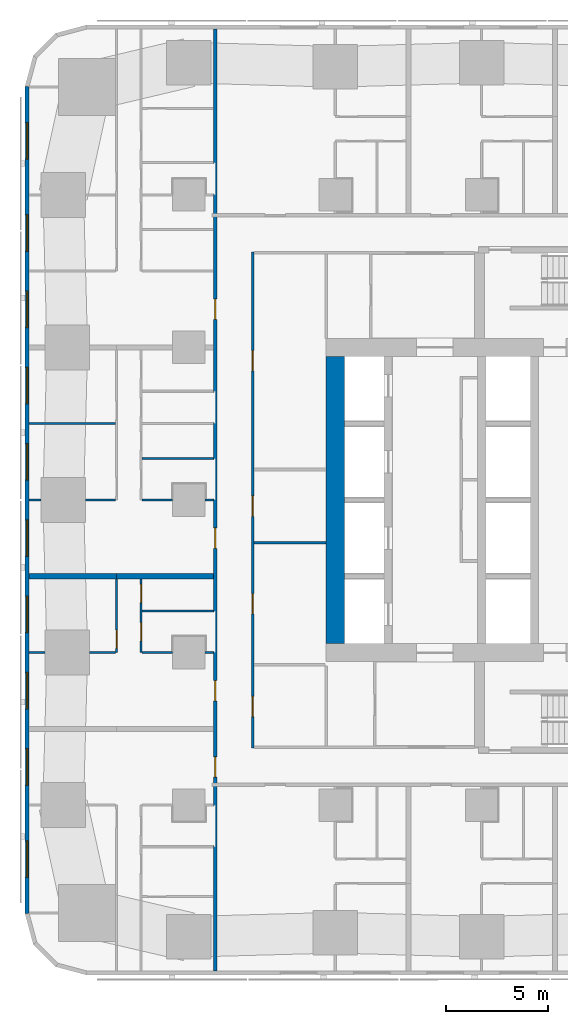
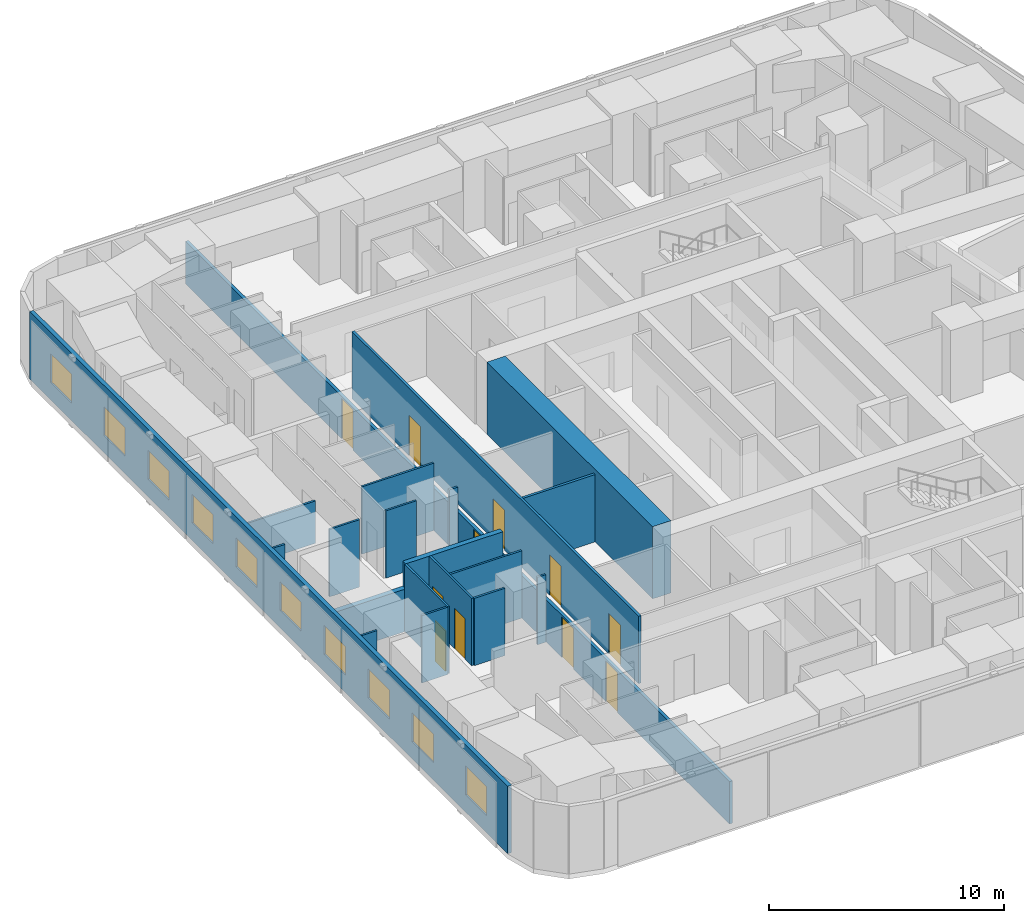
# One storey, part 5 of 16: 20 walls, 11 doors, 10 windows, 21 openings.
"""IFC4 building model written with IfcOpenShell, lengths in metres."""

import ifcopenshell
import ifcopenshell.guid

model = None  # the IFC model being written
_history = None  # IfcOwnerHistory: only IFC2X3 demands one
_inside = {}  # id of a spatial element -> (the spatial element, [elements in it])
_under = {}  # id of a project, library or spatial element -> (it, [spatial elements below it])
_declared = {}  # id of a project -> (the project, [libraries it declares])
_typed = {}  # id of a type object -> (the type object, [elements of that type])
_made_of = {}  # id of a material, layer set ... -> (it, [elements and type objects made of it])


def new_model(schema):
    """Start an empty IFC model of exactly this schema.

    Asked for "IFC4X3", IfcOpenShell would pick the latest addendum, in which some entities
    have other attributes; the version numbers below select the first issue.
    IFC2X3 requires an IfcOwnerHistory on every rooted entity: one is made here for all.
    """
    global model, _history
    if schema == "IFC4X3":
        model = ifcopenshell.file(schema_version=(4, 3, 0, 0))
    else:
        model = ifcopenshell.file(schema=schema)
    _inside.clear()
    _under.clear()
    _declared.clear()
    _typed.clear()
    _made_of.clear()
    _history = None
    if model.schema == "IFC2X3":
        org = make("IfcOrganization", Name="unknown")
        user = make(
            "IfcPersonAndOrganization",
            ThePerson=make("IfcPerson", FamilyName="unknown"),
            TheOrganization=org,
        )
        app = make(
            "IfcApplication",
            ApplicationDeveloper=org,
            Version="unknown",
            ApplicationFullName="unknown",
            ApplicationIdentifier="unknown",
        )
        _history = make(
            "IfcOwnerHistory",
            OwningUser=user,
            OwningApplication=app,
            ChangeAction="ADDED",
            CreationDate=0,
        )
    return model


def make(cls, **values):
    """One entity of the class cls with the attributes given. An attribute that is None is left unset."""
    return model.create_entity(
        cls, **{name: value for name, value in values.items() if value is not None}
    )


def rooted(cls, **values):
    """An entity with a GlobalId (a new one), such as an element, a storey or a relation."""
    return make(cls, GlobalId=ifcopenshell.guid.new(), OwnerHistory=_history, **values)


def si_unit(unit_type, name, prefix=None):
    """IfcSIUnit, for example si_unit("LENGTHUNIT", "METRE", prefix="MILLI")."""
    return make("IfcSIUnit", UnitType=unit_type, Prefix=prefix, Name=name)


def assignment(units):
    """IfcUnitAssignment: the units of a project."""
    return None if units is None else make("IfcUnitAssignment", Units=units)


def point(xyz):
    """IfcCartesianPoint."""
    return None if xyz is None else make("IfcCartesianPoint", Coordinates=xyz)


def direction(xyz):
    """IfcDirection."""
    return None if xyz is None else make("IfcDirection", DirectionRatios=xyz)


def frame(location, z_axis=None, x_axis=None):
    """IfcAxis2Placement3D, a coordinate frame: its origin and axes. An axis left out is left unset."""
    return make(
        "IfcAxis2Placement3D",
        Location=point(location),
        Axis=direction(z_axis),
        RefDirection=direction(x_axis),
    )


def frame_2d(location, x_axis=None):
    """IfcAxis2Placement2D, a coordinate frame in the plane: its origin and x axis."""
    return make(
        "IfcAxis2Placement2D", Location=point(location), RefDirection=direction(x_axis)
    )


def origin():
    """The frame at (0, 0, 0) with its axes left unset."""
    return frame((0.0, 0.0, 0.0))


def place(relative_to, where):
    """IfcLocalPlacement: puts the frame where relative to a parent placement (None: the world)."""
    return make(
        "IfcLocalPlacement", PlacementRelTo=relative_to, RelativePlacement=where
    )


def context(
    kind, dimensions, precision=None, world=None, true_north=None, identifier=None
):
    """IfcGeometricRepresentationContext, for example the 3D "Model" context."""
    return make(
        "IfcGeometricRepresentationContext",
        ContextIdentifier=identifier,
        ContextType=kind,
        CoordinateSpaceDimension=dimensions,
        Precision=precision,
        WorldCoordinateSystem=world,
        TrueNorth=true_north,
    )


def subcontext(parent, identifier, kind, view, scale=None):
    """IfcGeometricRepresentationSubContext, for example "Body" below "Model"."""
    return make(
        "IfcGeometricRepresentationSubContext",
        ContextIdentifier=identifier,
        ContextType=kind,
        ParentContext=parent,
        TargetScale=scale,
        TargetView=view,
    )


def project(units=None, contexts=None):
    """IfcProject with its units and contexts."""
    return rooted(
        "IfcProject",
        Name="project",
        RepresentationContexts=contexts,
        UnitsInContext=assignment(units),
    )


def spatial(cls, under=None, at=None, **own):
    """A site, building, storey or space (cls), placed at a placement, below another one or the project."""
    s = rooted(cls, ObjectPlacement=at, **own)
    if under is not None:
        _under.setdefault(under.id(), (under, []))[1].append(s)
    return s


def profile(cls, at=None, kind="AREA", **sizes):
    """A parametric profile (cls). Its sizes go by their IFC names, for example OverallWidth=200.0."""
    return make(cls, ProfileType=kind, Position=at, **sizes)


def rectangle(**sizes):
    """IfcRectangleProfileDef."""
    return profile("IfcRectangleProfileDef", **sizes)


def extrude(swept, where, along, depth):
    """IfcExtrudedAreaSolid: the profile swept, set in the frame where, extruded along a direction by depth."""
    return make(
        "IfcExtrudedAreaSolid",
        SweptArea=swept,
        Position=where,
        ExtrudedDirection=direction(along),
        Depth=depth,
    )


def shape(context_of_items, identifier, shape_type, items):
    """IfcShapeRepresentation: the items that make up one representation, for example the "Body"."""
    return make(
        "IfcShapeRepresentation",
        ContextOfItems=context_of_items,
        RepresentationIdentifier=identifier,
        RepresentationType=shape_type,
        Items=items,
    )


def material(Name=None, Category=None):
    """IfcMaterial."""
    return make("IfcMaterial", Name=Name, Category=Category)


def layer(
    of_material, thickness, ventilated=None, Name=None, Category=None, Priority=None
):
    """IfcMaterialLayer: one layer of a wall or slab, of a material (None: an air gap)."""
    return make(
        "IfcMaterialLayer",
        Material=of_material,
        LayerThickness=thickness,
        IsVentilated=ventilated,
        Name=Name,
        Category=Category,
        Priority=Priority,
    )


def layer_set(layers, Name=None):
    """IfcMaterialLayerSet."""
    return make("IfcMaterialLayerSet", MaterialLayers=layers, LayerSetName=Name)


def made_of(thing, what):
    """Note that an element or type object is made of a material, layer set ...; save() writes the relation."""
    if what is not None:
        _made_of.setdefault(what.id(), (what, []))[1].append(thing)
    return thing


def type_object(cls, material=None, **own):
    """A type object (cls), such as IfcWallType, which elements share."""
    return made_of(rooted(cls, **own), material)


def element(
    cls,
    number,
    at=None,
    inside=None,
    cuts=None,
    type_object=None,
    material=None,
    context=None,
    identifier="Body",
    shape_type=None,
    held_by="IfcProductDefinitionShape",
    body=None,
    shapes=None,
    **own,
):
    """One element of the class cls, such as IfcWall. Its Tag is "e" and its number.

    at: its placement. inside: the storey or other place that contains it. cuts: it is an
    opening in that element (IfcRelVoidsElement). A single representation is given by context,
    identifier, shape_type and body (its items); several are given by shapes. held_by: the class
    of the entity that holds the representations. save() writes the other relations.
    """
    e = rooted(cls, Tag="e%d" % number, ObjectPlacement=at, **own)
    if body is not None:
        shapes = [shape(context, identifier, shape_type, body)]
    if shapes is not None:
        e.Representation = make(held_by, Representations=shapes)
    if inside is not None:
        _inside.setdefault(inside.id(), (inside, []))[1].append(e)
    if cuts is not None:
        rooted(
            "IfcRelVoidsElement", RelatingBuildingElement=cuts, RelatedOpeningElement=e
        )
    if type_object is not None:
        _typed.setdefault(type_object.id(), (type_object, []))[1].append(e)
    return made_of(e, material)


def fill(opening, filler):
    """IfcRelFillsElement: the door or window that sits in an opening."""
    return rooted(
        "IfcRelFillsElement",
        RelatingOpeningElement=opening,
        RelatedBuildingElement=filler,
    )


def aggregate(whole, parts):
    """IfcRelAggregates: a whole, such as a stair, and the parts it consists of."""
    return rooted("IfcRelAggregates", RelatingObject=whole, RelatedObjects=parts)


def save(model, path):
    """Write the relations noted so far, then the file.

    IfcRelAggregates (storeys below a building ...), IfcRelContainedInSpatialStructure (elements
    in a storey), IfcRelDefinesByType, IfcRelAssociatesMaterial and IfcRelDeclares: one each for
    every whole, place, type object, material and project.
    """
    for whole, parts in _under.values():
        aggregate(whole, parts)
    for where, things in _inside.values():
        rooted(
            "IfcRelContainedInSpatialStructure",
            RelatedElements=things,
            RelatingStructure=where,
        )
    for kind, things in _typed.values():
        rooted("IfcRelDefinesByType", RelatedObjects=things, RelatingType=kind)
    for what, things in _made_of.values():
        rooted("IfcRelAssociatesMaterial", RelatedObjects=things, RelatingMaterial=what)
    for by, libraries in _declared.values():
        rooted("IfcRelDeclares", RelatingContext=by, RelatedDefinitions=libraries)
    model.write(path)


model = new_model("IFC4")

# Units and contexts
model_context = context("Model", 3, precision=1e-05, world=origin(), true_north=direction((0.0, 1.0)))
body_context = subcontext(model_context, "Body", "Model", "MODEL_VIEW")
ifc_project = project(units=[si_unit("LENGTHUNIT", "METRE"), si_unit("AREAUNIT", "SQUARE_METRE"), si_unit("VOLUMEUNIT", "CUBIC_METRE"), si_unit("PLANEANGLEUNIT", "RADIAN"), si_unit("MASSUNIT", "GRAM", prefix="KILO")], contexts=[model_context])

# Site, building, storey
site_placement = place(None, origin())
site = spatial("IfcSite", under=ifc_project, at=site_placement, CompositionType="ELEMENT")
building_placement = place(site_placement, origin())
building = spatial("IfcBuilding", under=site, at=building_placement, Name="Sheger Commons Tower", CompositionType="ELEMENT")
storey_placement = place(building_placement, frame((0.0, 0.0, 92.89990234375)))
storey = spatial("IfcBuildingStorey", under=building, at=storey_placement, Name="L23", CompositionType="ELEMENT", Elevation=92.89990234375)

# Wall
ifc_material_1 = material(Name="Concrete C50/60", Category="concrete")
ifc_layer_1 = layer(ifc_material_1, 0.89990234375)
ifc_layer_set_1 = layer_set([ifc_layer_1], Name="CORE WALL 900")
wall_type_1 = type_object("IfcWallType", Name="CORE WALL 900", PredefinedType="SHEAR", material=ifc_layer_set_1)
wall_1_placement = place(storey_placement, frame((14.39990234375, 15.449951171875, 0.0), z_axis=(0.0, 0.0, 1.0), x_axis=(0.0, 1.0, 0.0)))
element("IfcWall", 1, at=wall_1_placement, inside=storey, type_object=wall_type_1, Name="Core wall west L23", PredefinedType="SHEAR", context=body_context, shape_type="SweptSolid", body=[
    extrude(rectangle(XDim=14.10009765625, YDim=0.89990234375, at=frame_2d((7.050048828125, 0.0))), origin(), (0.0, 0.0, 1.0), 3.75),
])

# Wall, openings, doors
ifc_material_2 = material(Name="Hollow concrete block masonry, skimmed both sides", Category="masonry")
ifc_layer_2 = layer(ifc_material_2, 0.14990234375)
ifc_layer_set_2 = layer_set([ifc_layer_2], Name="CORRIDOR WALL 150")
wall_type_2 = type_object("IfcWallType", Name="CORRIDOR WALL 150", PredefinedType="SOLIDWALL", material=ifc_layer_set_2)
wall_2_placement = place(storey_placement, frame((8.5, -0.64990234375, 0.0), z_axis=(0.0, 0.0, 1.0), x_axis=(0.0, 1.0, 0.0)))
wall_2 = element("IfcWall", 2, at=wall_2_placement, inside=storey, type_object=wall_type_2, Name="Corridor wall L23", PredefinedType="SOLIDWALL", context=body_context, shape_type="SweptSolid", body=[
    extrude(rectangle(XDim=46.2998046875, YDim=0.14990234375, at=frame_2d((23.14990234375, 0.0))), origin(), (0.0, 0.0, 1.0), 2.2001953125),
])
opening_1_placement = place(wall_2_placement, frame((9.52490234375, 0.0, 0.0)))
opening_1 = element("IfcOpeningElement", 3, at=opening_1_placement, cuts=wall_2, Name="Opening D1", PredefinedType="OPENING", context=body_context, shape_type="SweptSolid", body=[
    extrude(rectangle(XDim=1.0, YDim=2.10009765625, at=frame_2d((0.5, 1.050048828125))), frame((0.0, 0.0849609375, 0.0), z_axis=(0.0, -1.0, 0.0), x_axis=(1.0, 0.0, 0.0)), (0.0, 0.0, 1.0), 0.169921875),
])
opening_2_placement = place(wall_2_placement, frame((13.27490234375, 0.0, 0.0)))
opening_2 = element("IfcOpeningElement", 4, at=opening_2_placement, cuts=wall_2, Name="Opening D1", PredefinedType="OPENING", context=body_context, shape_type="SweptSolid", body=[
    extrude(rectangle(XDim=1.0, YDim=2.10009765625, at=frame_2d((0.5, 1.050048828125))), frame((0.0, 0.0849609375, 0.0), z_axis=(0.0, -1.0, 0.0), x_axis=(1.0, 0.0, 0.0)), (0.0, 0.0, 1.0), 0.169921875),
])
opening_3_placement = place(wall_2_placement, frame((20.77490234375, 0.0, 0.0)))
opening_3 = element("IfcOpeningElement", 5, at=opening_3_placement, cuts=wall_2, Name="Opening D1", PredefinedType="OPENING", context=body_context, shape_type="SweptSolid", body=[
    extrude(rectangle(XDim=1.0, YDim=2.10009765625, at=frame_2d((0.5, 1.050048828125))), frame((0.0, 0.0849609375, 0.0), z_axis=(0.0, -1.0, 0.0), x_axis=(1.0, 0.0, 0.0)), (0.0, 0.0, 1.0), 0.169921875),
])
opening_4_placement = place(wall_2_placement, frame((32.02490234375, 0.0, 0.0)))
opening_4 = element("IfcOpeningElement", 6, at=opening_4_placement, cuts=wall_2, Name="Opening D1", PredefinedType="OPENING", context=body_context, shape_type="SweptSolid", body=[
    extrude(rectangle(XDim=1.0, YDim=2.10009765625, at=frame_2d((0.5, 1.050048828125))), frame((0.0, 0.0849609375, 0.0), z_axis=(0.0, -1.0, 0.0), x_axis=(1.0, 0.0, 0.0)), (0.0, 0.0, 1.0), 0.169921875),
])
ifc_material_3 = material(Name="Steel door set, fire rated", Category="steel")
door_type_1 = type_object("IfcDoorType", Name="FLAT ENTRANCE DOOR 1000x2100", OperationType="NOTDEFINED", PredefinedType="DOOR", material=ifc_material_3)
door_1_placement = place(opening_1_placement, origin())
door_1 = element("IfcDoor", 7, at=door_1_placement, inside=storey, type_object=door_type_1, Name="Flat entrance door", OperationType="SINGLE_SWING_RIGHT", OverallHeight=2.10009765625, OverallWidth=1.0, PredefinedType="DOOR", context=body_context, shape_type="SweptSolid", body=[
    extrude(rectangle(XDim=1.0, YDim=2.10009765625, at=frame_2d((0.5, 1.050048828125))), frame((0.0, 0.02490234375, 0.0), z_axis=(0.0, -1.0, 0.0), x_axis=(1.0, 0.0, 0.0)), (0.0, 0.0, 1.0), 0.050048828125),
])
fill(opening_1, door_1)
door_2_placement = place(opening_2_placement, origin())
door_2 = element("IfcDoor", 8, at=door_2_placement, inside=storey, type_object=door_type_1, Name="Flat entrance door", OperationType="SINGLE_SWING_LEFT", OverallHeight=2.10009765625, OverallWidth=1.0, PredefinedType="DOOR", context=body_context, shape_type="SweptSolid", body=[
    extrude(rectangle(XDim=1.0, YDim=2.10009765625, at=frame_2d((0.5, 1.050048828125))), frame((0.0, 0.02490234375, 0.0), z_axis=(0.0, -1.0, 0.0), x_axis=(1.0, 0.0, 0.0)), (0.0, 0.0, 1.0), 0.050048828125),
])
fill(opening_2, door_2)
door_3_placement = place(opening_3_placement, origin())
door_3 = element("IfcDoor", 9, at=door_3_placement, inside=storey, type_object=door_type_1, Name="Flat entrance door", OperationType="SINGLE_SWING_RIGHT", OverallHeight=2.10009765625, OverallWidth=1.0, PredefinedType="DOOR", context=body_context, shape_type="SweptSolid", body=[
    extrude(rectangle(XDim=1.0, YDim=2.10009765625, at=frame_2d((0.5, 1.050048828125))), frame((0.0, 0.02490234375, 0.0), z_axis=(0.0, -1.0, 0.0), x_axis=(1.0, 0.0, 0.0)), (0.0, 0.0, 1.0), 0.050048828125),
])
fill(opening_3, door_3)
door_4_placement = place(opening_4_placement, origin())
door_4 = element("IfcDoor", 10, at=door_4_placement, inside=storey, type_object=door_type_1, Name="Flat entrance door", OperationType="SINGLE_SWING_LEFT", OverallHeight=2.10009765625, OverallWidth=1.0, PredefinedType="DOOR", context=body_context, shape_type="SweptSolid", body=[
    extrude(rectangle(XDim=1.0, YDim=2.10009765625, at=frame_2d((0.5, 1.050048828125))), frame((0.0, 0.02490234375, 0.0), z_axis=(0.0, -1.0, 0.0), x_axis=(1.0, 0.0, 0.0)), (0.0, 0.0, 1.0), 0.050048828125),
])
fill(opening_4, door_4)

# Walls
ifc_material_4 = material(Name="Dense concrete block masonry, plastered both sides (separating wall between flats)", Category="masonry")
ifc_layer_3 = layer(ifc_material_4, 0.25)
ifc_layer_set_3 = layer_set([ifc_layer_3], Name="DEMISING WALL 250")
wall_type_3 = type_object("IfcWallType", Name="DEMISING WALL 250", PredefinedType="SOLIDWALL", material=ifc_layer_set_3)
wall_3_placement = place(storey_placement, frame((-0.64990234375, 18.75, 0.0), z_axis=(0.0, 0.0, 1.0), x_axis=(1.0, 0.0, 0.0)))
element("IfcWall", 11, at=wall_3_placement, inside=storey, type_object=wall_type_3, Name="Demising wall L23", PredefinedType="SOLIDWALL", context=body_context, shape_type="SweptSolid", body=[
    extrude(rectangle(XDim=4.2998046875, YDim=0.25, at=frame_2d((2.14990234375, 0.0))), origin(), (0.0, 0.0, 1.0), 2.2001953125),
])
wall_4_placement = place(storey_placement, frame((3.64990234375, 18.75, 0.0), z_axis=(0.0, 0.0, 1.0), x_axis=(1.0, 0.0, 0.0)))
element("IfcWall", 12, at=wall_4_placement, inside=storey, type_object=wall_type_3, Name="Demising wall L23", PredefinedType="SOLIDWALL", context=body_context, shape_type="SweptSolid", body=[
    extrude(rectangle(XDim=4.775146484375, YDim=0.25, at=frame_2d((2.3876953125, 0.0))), origin(), (0.0, 0.0, 1.0), 3.5),
])

# Wall, openings, windows
ifc_material_5 = material(Name="Rendered concrete block masonry, dark grey", Category="masonry")
ifc_layer_4 = layer(ifc_material_5, 0.199951171875)
ifc_layer_set_4 = layer_set([ifc_layer_4], Name="FACADE WALL 200")
wall_type_4 = type_object("IfcWallType", Name="FACADE WALL 200", PredefinedType="SOLIDWALL", material=ifc_layer_set_4)
wall_5_placement = place(storey_placement, frame((-0.75, 42.8369140625, 0.0), z_axis=(0.0, 0.0, 1.0), x_axis=(0.0, -1.0, 0.0)))
wall_5 = element("IfcWall", 13, at=wall_5_placement, inside=storey, type_object=wall_type_4, Name="Facade wall L23", PredefinedType="SOLIDWALL", context=body_context, shape_type="SweptSolid", body=[
    extrude(rectangle(XDim=40.673828125, YDim=0.199951171875, at=frame_2d((20.3369140625, 0.0))), origin(), (0.0, 0.0, 1.0), 3.5),
])
opening_5_placement = place(wall_5_placement, frame((1.780029296875, 0.0, 0.89990234375)))
opening_5 = element("IfcOpeningElement", 14, at=opening_5_placement, cuts=wall_5, Name="Opening W2", PredefinedType="OPENING", context=body_context, shape_type="SweptSolid", body=[
    extrude(rectangle(XDim=1.800048828125, YDim=1.5, at=frame_2d((0.89990234375, 0.75))), frame((0.0, 0.10986328125, 0.0), z_axis=(0.0, -1.0, 0.0), x_axis=(1.0, 0.0, 0.0)), (0.0, 0.0, 1.0), 0.219970703125),
])
opening_6_placement = place(wall_5_placement, frame((6.31201171875, 0.0, 0.89990234375)))
opening_6 = element("IfcOpeningElement", 15, at=opening_6_placement, cuts=wall_5, Name="Opening W2", PredefinedType="OPENING", context=body_context, shape_type="SweptSolid", body=[
    extrude(rectangle(XDim=1.800048828125, YDim=1.5, at=frame_2d((0.89990234375, 0.75))), frame((0.0, 0.10986328125, 0.0), z_axis=(0.0, -1.0, 0.0), x_axis=(1.0, 0.0, 0.0)), (0.0, 0.0, 1.0), 0.219970703125),
])
opening_7_placement = place(wall_5_placement, frame((10.06201171875, 0.0, 0.89990234375)))
opening_7 = element("IfcOpeningElement", 16, at=opening_7_placement, cuts=wall_5, Name="Opening W2", PredefinedType="OPENING", context=body_context, shape_type="SweptSolid", body=[
    extrude(rectangle(XDim=1.800048828125, YDim=1.5, at=frame_2d((0.89990234375, 0.75))), frame((0.0, 0.10986328125, 0.0), z_axis=(0.0, -1.0, 0.0), x_axis=(1.0, 0.0, 0.0)), (0.0, 0.0, 1.0), 0.219970703125),
])
opening_8_placement = place(wall_5_placement, frame((13.81201171875, 0.0, 0.89990234375)))
opening_8 = element("IfcOpeningElement", 17, at=opening_8_placement, cuts=wall_5, Name="Opening W2", PredefinedType="OPENING", context=body_context, shape_type="SweptSolid", body=[
    extrude(rectangle(XDim=1.800048828125, YDim=1.5, at=frame_2d((0.89990234375, 0.75))), frame((0.0, 0.10986328125, 0.0), z_axis=(0.0, -1.0, 0.0), x_axis=(1.0, 0.0, 0.0)), (0.0, 0.0, 1.0), 0.219970703125),
])
opening_9_placement = place(wall_5_placement, frame((17.56201171875, 0.0, 0.89990234375)))
opening_9 = element("IfcOpeningElement", 18, at=opening_9_placement, cuts=wall_5, Name="Opening W2", PredefinedType="OPENING", context=body_context, shape_type="SweptSolid", body=[
    extrude(rectangle(XDim=1.800048828125, YDim=1.5, at=frame_2d((0.89990234375, 0.75))), frame((0.0, 0.10986328125, 0.0), z_axis=(0.0, -1.0, 0.0), x_axis=(1.0, 0.0, 0.0)), (0.0, 0.0, 1.0), 0.219970703125),
])
opening_10_placement = place(wall_5_placement, frame((21.31201171875, 0.0, 0.89990234375)))
opening_10 = element("IfcOpeningElement", 19, at=opening_10_placement, cuts=wall_5, Name="Opening W2", PredefinedType="OPENING", context=body_context, shape_type="SweptSolid", body=[
    extrude(rectangle(XDim=1.800048828125, YDim=1.5, at=frame_2d((0.89990234375, 0.75))), frame((0.0, 0.10986328125, 0.0), z_axis=(0.0, -1.0, 0.0), x_axis=(1.0, 0.0, 0.0)), (0.0, 0.0, 1.0), 0.219970703125),
])
opening_11_placement = place(wall_5_placement, frame((25.06201171875, 0.0, 0.89990234375)))
opening_11 = element("IfcOpeningElement", 20, at=opening_11_placement, cuts=wall_5, Name="Opening W2", PredefinedType="OPENING", context=body_context, shape_type="SweptSolid", body=[
    extrude(rectangle(XDim=1.800048828125, YDim=1.5, at=frame_2d((0.89990234375, 0.75))), frame((0.0, 0.10986328125, 0.0), z_axis=(0.0, -1.0, 0.0), x_axis=(1.0, 0.0, 0.0)), (0.0, 0.0, 1.0), 0.219970703125),
])
opening_12_placement = place(wall_5_placement, frame((28.81201171875, 0.0, 0.89990234375)))
opening_12 = element("IfcOpeningElement", 21, at=opening_12_placement, cuts=wall_5, Name="Opening W2", PredefinedType="OPENING", context=body_context, shape_type="SweptSolid", body=[
    extrude(rectangle(XDim=1.800048828125, YDim=1.5, at=frame_2d((0.89990234375, 0.75))), frame((0.0, 0.10986328125, 0.0), z_axis=(0.0, -1.0, 0.0), x_axis=(1.0, 0.0, 0.0)), (0.0, 0.0, 1.0), 0.219970703125),
])
opening_13_placement = place(wall_5_placement, frame((32.56201171875, 0.0, 0.89990234375)))
opening_13 = element("IfcOpeningElement", 22, at=opening_13_placement, cuts=wall_5, Name="Opening W2", PredefinedType="OPENING", context=body_context, shape_type="SweptSolid", body=[
    extrude(rectangle(XDim=1.800048828125, YDim=1.5, at=frame_2d((0.89990234375, 0.75))), frame((0.0, 0.10986328125, 0.0), z_axis=(0.0, -1.0, 0.0), x_axis=(1.0, 0.0, 0.0)), (0.0, 0.0, 1.0), 0.219970703125),
])
opening_14_placement = place(wall_5_placement, frame((37.093994140625, 0.0, 0.89990234375)))
opening_14 = element("IfcOpeningElement", 23, at=opening_14_placement, cuts=wall_5, Name="Opening W2", PredefinedType="OPENING", context=body_context, shape_type="SweptSolid", body=[
    extrude(rectangle(XDim=1.800048828125, YDim=1.5, at=frame_2d((0.89990234375, 0.75))), frame((0.0, 0.10986328125, 0.0), z_axis=(0.0, -1.0, 0.0), x_axis=(1.0, 0.0, 0.0)), (0.0, 0.0, 1.0), 0.219970703125),
])
ifc_material_6 = material(Name="Black aluminium frame, dark tinted double glazing", Category="aluminium")
window_type = type_object("IfcWindowType", Name="WINDOW W2 1800x1500", PartitioningType="SINGLE_PANEL", PredefinedType="WINDOW", material=ifc_material_6)
window_1_placement = place(opening_5_placement, origin())
window_1 = element("IfcWindow", 24, at=window_1_placement, inside=storey, type_object=window_type, Name="Window W2 1800X1500", OverallHeight=1.5, OverallWidth=1.800048828125, PartitioningType="SINGLE_PANEL", PredefinedType="WINDOW", context=body_context, shape_type="SweptSolid", body=[
    extrude(rectangle(XDim=1.800048828125, YDim=1.5, at=frame_2d((0.89990234375, 0.75))), frame((0.0, 0.030029296875, 0.0), z_axis=(0.0, -1.0, 0.0), x_axis=(1.0, 0.0, 0.0)), (0.0, 0.0, 1.0), 0.06005859375),
])
fill(opening_5, window_1)
window_2_placement = place(opening_6_placement, origin())
window_2 = element("IfcWindow", 25, at=window_2_placement, inside=storey, type_object=window_type, Name="Window W2 1800X1500", OverallHeight=1.5, OverallWidth=1.800048828125, PartitioningType="SINGLE_PANEL", PredefinedType="WINDOW", context=body_context, shape_type="SweptSolid", body=[
    extrude(rectangle(XDim=1.800048828125, YDim=1.5, at=frame_2d((0.89990234375, 0.75))), frame((0.0, 0.030029296875, 0.0), z_axis=(0.0, -1.0, 0.0), x_axis=(1.0, 0.0, 0.0)), (0.0, 0.0, 1.0), 0.06005859375),
])
fill(opening_6, window_2)
window_3_placement = place(opening_7_placement, origin())
window_3 = element("IfcWindow", 26, at=window_3_placement, inside=storey, type_object=window_type, Name="Window W2 1800X1500", OverallHeight=1.5, OverallWidth=1.800048828125, PartitioningType="SINGLE_PANEL", PredefinedType="WINDOW", context=body_context, shape_type="SweptSolid", body=[
    extrude(rectangle(XDim=1.800048828125, YDim=1.5, at=frame_2d((0.89990234375, 0.75))), frame((0.0, 0.030029296875, 0.0), z_axis=(0.0, -1.0, 0.0), x_axis=(1.0, 0.0, 0.0)), (0.0, 0.0, 1.0), 0.06005859375),
])
fill(opening_7, window_3)
window_4_placement = place(opening_8_placement, origin())
window_4 = element("IfcWindow", 27, at=window_4_placement, inside=storey, type_object=window_type, Name="Window W2 1800X1500", OverallHeight=1.5, OverallWidth=1.800048828125, PartitioningType="SINGLE_PANEL", PredefinedType="WINDOW", context=body_context, shape_type="SweptSolid", body=[
    extrude(rectangle(XDim=1.800048828125, YDim=1.5, at=frame_2d((0.89990234375, 0.75))), frame((0.0, 0.030029296875, 0.0), z_axis=(0.0, -1.0, 0.0), x_axis=(1.0, 0.0, 0.0)), (0.0, 0.0, 1.0), 0.06005859375),
])
fill(opening_8, window_4)
window_5_placement = place(opening_9_placement, origin())
window_5 = element("IfcWindow", 28, at=window_5_placement, inside=storey, type_object=window_type, Name="Window W2 1800X1500", OverallHeight=1.5, OverallWidth=1.800048828125, PartitioningType="SINGLE_PANEL", PredefinedType="WINDOW", context=body_context, shape_type="SweptSolid", body=[
    extrude(rectangle(XDim=1.800048828125, YDim=1.5, at=frame_2d((0.89990234375, 0.75))), frame((0.0, 0.030029296875, 0.0), z_axis=(0.0, -1.0, 0.0), x_axis=(1.0, 0.0, 0.0)), (0.0, 0.0, 1.0), 0.06005859375),
])
fill(opening_9, window_5)
window_6_placement = place(opening_10_placement, origin())
window_6 = element("IfcWindow", 29, at=window_6_placement, inside=storey, type_object=window_type, Name="Window W2 1800X1500", OverallHeight=1.5, OverallWidth=1.800048828125, PartitioningType="SINGLE_PANEL", PredefinedType="WINDOW", context=body_context, shape_type="SweptSolid", body=[
    extrude(rectangle(XDim=1.800048828125, YDim=1.5, at=frame_2d((0.89990234375, 0.75))), frame((0.0, 0.030029296875, 0.0), z_axis=(0.0, -1.0, 0.0), x_axis=(1.0, 0.0, 0.0)), (0.0, 0.0, 1.0), 0.06005859375),
])
fill(opening_10, window_6)
window_7_placement = place(opening_11_placement, origin())
window_7 = element("IfcWindow", 30, at=window_7_placement, inside=storey, type_object=window_type, Name="Window W2 1800X1500", OverallHeight=1.5, OverallWidth=1.800048828125, PartitioningType="SINGLE_PANEL", PredefinedType="WINDOW", context=body_context, shape_type="SweptSolid", body=[
    extrude(rectangle(XDim=1.800048828125, YDim=1.5, at=frame_2d((0.89990234375, 0.75))), frame((0.0, 0.030029296875, 0.0), z_axis=(0.0, -1.0, 0.0), x_axis=(1.0, 0.0, 0.0)), (0.0, 0.0, 1.0), 0.06005859375),
])
fill(opening_11, window_7)
window_8_placement = place(opening_12_placement, origin())
window_8 = element("IfcWindow", 31, at=window_8_placement, inside=storey, type_object=window_type, Name="Window W2 1800X1500", OverallHeight=1.5, OverallWidth=1.800048828125, PartitioningType="SINGLE_PANEL", PredefinedType="WINDOW", context=body_context, shape_type="SweptSolid", body=[
    extrude(rectangle(XDim=1.800048828125, YDim=1.5, at=frame_2d((0.89990234375, 0.75))), frame((0.0, 0.030029296875, 0.0), z_axis=(0.0, -1.0, 0.0), x_axis=(1.0, 0.0, 0.0)), (0.0, 0.0, 1.0), 0.06005859375),
])
fill(opening_12, window_8)
window_9_placement = place(opening_13_placement, origin())
window_9 = element("IfcWindow", 32, at=window_9_placement, inside=storey, type_object=window_type, Name="Window W2 1800X1500", OverallHeight=1.5, OverallWidth=1.800048828125, PartitioningType="SINGLE_PANEL", PredefinedType="WINDOW", context=body_context, shape_type="SweptSolid", body=[
    extrude(rectangle(XDim=1.800048828125, YDim=1.5, at=frame_2d((0.89990234375, 0.75))), frame((0.0, 0.030029296875, 0.0), z_axis=(0.0, -1.0, 0.0), x_axis=(1.0, 0.0, 0.0)), (0.0, 0.0, 1.0), 0.06005859375),
])
fill(opening_13, window_9)
window_10_placement = place(opening_14_placement, origin())
window_10 = element("IfcWindow", 33, at=window_10_placement, inside=storey, type_object=window_type, Name="Window W2 1800X1500", OverallHeight=1.5, OverallWidth=1.800048828125, PartitioningType="SINGLE_PANEL", PredefinedType="WINDOW", context=body_context, shape_type="SweptSolid", body=[
    extrude(rectangle(XDim=1.800048828125, YDim=1.5, at=frame_2d((0.89990234375, 0.75))), frame((0.0, 0.030029296875, 0.0), z_axis=(0.0, -1.0, 0.0), x_axis=(1.0, 0.0, 0.0)), (0.0, 0.0, 1.0), 0.06005859375),
])
fill(opening_14, window_10)

# Wall, opening, door
ifc_material_7 = material(Name="Gypsum board on steel studs", Category="steel")
ifc_layer_5 = layer(ifc_material_7, 0.10009765625)
ifc_layer_set_5 = layer_set([ifc_layer_5], Name="PARTITION 100")
wall_type_5 = type_object("IfcWallType", Name="PARTITION 100", PredefinedType="PARTITIONING", material=ifc_layer_set_5)
wall_6_placement = place(storey_placement, frame((3.64990234375, 15.0, 0.0), z_axis=(0.0, 0.0, 1.0), x_axis=(0.0, 1.0, 0.0)))
wall_6 = element("IfcWall", 34, at=wall_6_placement, inside=storey, type_object=wall_type_5, Name="Partition L23", PredefinedType="PARTITIONING", context=body_context, shape_type="SweptSolid", body=[
    extrude(rectangle(XDim=3.625, YDim=0.10009765625, at=frame_2d((1.8125, 0.0))), origin(), (0.0, 0.0, 1.0), 3.5),
])
opening_15_placement = place(wall_6_placement, frame((0.199951171875, 0.0, 0.0)))
opening_15 = element("IfcOpeningElement", 35, at=opening_15_placement, cuts=wall_6, Name="Opening D2", PredefinedType="OPENING", context=body_context, shape_type="SweptSolid", body=[
    extrude(rectangle(XDim=0.89990234375, YDim=2.10009765625, at=frame_2d((0.449951171875, 1.050048828125))), frame((0.0, 0.06005859375, 0.0), z_axis=(0.0, -1.0, 0.0), x_axis=(1.0, 0.0, 0.0)), (0.0, 0.0, 1.0), 0.1201171875),
])
ifc_material_8 = material(Name="Timber door set", Category="wood")
door_type_2 = type_object("IfcDoorType", Name="INTERNAL DOOR 900x2100", OperationType="NOTDEFINED", PredefinedType="DOOR", material=ifc_material_8)
door_5_placement = place(opening_15_placement, origin())
door_5 = element("IfcDoor", 36, at=door_5_placement, inside=storey, type_object=door_type_2, Name="Main bedroom door", OperationType="SINGLE_SWING_LEFT", OverallHeight=2.10009765625, OverallWidth=0.89990234375, PredefinedType="DOOR", context=body_context, shape_type="SweptSolid", body=[
    extrude(rectangle(XDim=0.89990234375, YDim=2.10009765625, at=frame_2d((0.449951171875, 1.050048828125))), frame((0.0, 0.02490234375, 0.0), z_axis=(0.0, -1.0, 0.0), x_axis=(1.0, 0.0, 0.0)), (0.0, 0.0, 1.0), 0.050048828125),
])
fill(opening_15, door_5)

# Wall, openings, doors
wall_7_placement = place(storey_placement, frame((4.85009765625, 15.0, 0.0), z_axis=(0.0, 0.0, 1.0), x_axis=(0.0, 1.0, 0.0)))
wall_7 = element("IfcWall", 37, at=wall_7_placement, inside=storey, type_object=wall_type_5, Name="Partition L23", PredefinedType="PARTITIONING", context=body_context, shape_type="SweptSolid", body=[
    extrude(rectangle(XDim=3.625, YDim=0.10009765625, at=frame_2d((1.8125, 0.0))), origin(), (0.0, 0.0, 1.0), 3.5),
])
opening_16_placement = place(wall_7_placement, frame((0.574951171875, 0.0, 0.0)))
opening_16 = element("IfcOpeningElement", 38, at=opening_16_placement, cuts=wall_7, Name="Opening D2", PredefinedType="OPENING", context=body_context, shape_type="SweptSolid", body=[
    extrude(rectangle(XDim=0.89990234375, YDim=2.10009765625, at=frame_2d((0.449951171875, 1.050048828125))), frame((0.0, 0.06005859375, 0.0), z_axis=(0.0, -1.0, 0.0), x_axis=(1.0, 0.0, 0.0)), (0.0, 0.0, 1.0), 0.1201171875),
])
opening_17_placement = place(wall_7_placement, frame((2.449951171875, 0.0, 0.0)))
opening_17 = element("IfcOpeningElement", 39, at=opening_17_placement, cuts=wall_7, Name="Opening D2", PredefinedType="OPENING", context=body_context, shape_type="SweptSolid", body=[
    extrude(rectangle(XDim=0.89990234375, YDim=2.10009765625, at=frame_2d((0.449951171875, 1.050048828125))), frame((0.0, 0.06005859375, 0.0), z_axis=(0.0, -1.0, 0.0), x_axis=(1.0, 0.0, 0.0)), (0.0, 0.0, 1.0), 0.1201171875),
])
door_6_placement = place(opening_16_placement, origin())
door_6 = element("IfcDoor", 40, at=door_6_placement, inside=storey, type_object=door_type_2, Name="Bathroom door", OperationType="SINGLE_SWING_RIGHT", OverallHeight=2.10009765625, OverallWidth=0.89990234375, PredefinedType="DOOR", context=body_context, shape_type="SweptSolid", body=[
    extrude(rectangle(XDim=0.89990234375, YDim=2.10009765625, at=frame_2d((0.449951171875, 1.050048828125))), frame((0.0, 0.02490234375, 0.0), z_axis=(0.0, -1.0, 0.0), x_axis=(1.0, 0.0, 0.0)), (0.0, 0.0, 1.0), 0.050048828125),
])
fill(opening_16, door_6)
door_7_placement = place(opening_17_placement, origin())
door_7 = element("IfcDoor", 41, at=door_7_placement, inside=storey, type_object=door_type_2, Name="Store door", OperationType="SINGLE_SWING_LEFT", OverallHeight=2.10009765625, OverallWidth=0.89990234375, PredefinedType="DOOR", context=body_context, shape_type="SweptSolid", body=[
    extrude(rectangle(XDim=0.89990234375, YDim=2.10009765625, at=frame_2d((0.449951171875, 1.050048828125))), frame((0.0, 0.02490234375, 0.0), z_axis=(0.0, -1.0, 0.0), x_axis=(1.0, 0.0, 0.0)), (0.0, 0.0, 1.0), 0.050048828125),
])
fill(opening_17, door_7)

# Walls
wall_8_placement = place(storey_placement, frame((-0.64990234375, 15.0, 0.0), z_axis=(0.0, 0.0, 1.0), x_axis=(1.0, 0.0, 0.0)))
element("IfcWall", 42, at=wall_8_placement, inside=storey, type_object=wall_type_5, Name="Partition L23", PredefinedType="PARTITIONING", context=body_context, shape_type="SweptSolid", body=[
    extrude(rectangle(XDim=0.77392578125, YDim=0.10009765625, at=frame_2d((0.386962890625, 0.0))), origin(), (0.0, 0.0, 1.0), 3.5),
])
wall_9_placement = place(storey_placement, frame((2.325927734375, 15.0, 0.0), z_axis=(0.0, 0.0, 1.0), x_axis=(1.0, 0.0, 0.0)))
element("IfcWall", 43, at=wall_9_placement, inside=storey, type_object=wall_type_5, Name="Partition L23", PredefinedType="PARTITIONING", context=body_context, shape_type="SweptSolid", body=[
    extrude(rectangle(XDim=1.274169921875, YDim=0.10009765625, at=frame_2d((0.63720703125, 0.0))), origin(), (0.0, 0.0, 1.0), 3.5),
])
wall_10_placement = place(storey_placement, frame((4.89990234375, 15.0, 0.0), z_axis=(0.0, 0.0, 1.0), x_axis=(1.0, 0.0, 0.0)))
element("IfcWall", 44, at=wall_10_placement, inside=storey, type_object=wall_type_5, Name="Partition L23", PredefinedType="PARTITIONING", context=body_context, shape_type="SweptSolid", body=[
    extrude(rectangle(XDim=1.4990234375, YDim=0.10009765625, at=frame_2d((0.74951171875, 0.0))), origin(), (0.0, 0.0, 1.0), 3.5),
])
wall_11_placement = place(storey_placement, frame((8.0009765625, 15.0, 0.0), z_axis=(0.0, 0.0, 1.0), x_axis=(1.0, 0.0, 0.0)))
element("IfcWall", 45, at=wall_11_placement, inside=storey, type_object=wall_type_5, Name="Partition L23", PredefinedType="PARTITIONING", context=body_context, shape_type="SweptSolid", body=[
    extrude(rectangle(XDim=0.424072265625, YDim=0.10009765625, at=frame_2d((0.2119140625, 0.0))), origin(), (0.0, 0.0, 1.0), 3.5),
])
wall_12_placement = place(storey_placement, frame((4.89990234375, 17.050048828125, 0.0), z_axis=(0.0, 0.0, 1.0), x_axis=(1.0, 0.0, 0.0)))
element("IfcWall", 46, at=wall_12_placement, inside=storey, type_object=wall_type_5, Name="Partition L23", PredefinedType="PARTITIONING", context=body_context, shape_type="SweptSolid", body=[
    extrude(rectangle(XDim=3.525146484375, YDim=0.10009765625, at=frame_2d((1.7626953125, 0.0))), origin(), (0.0, 0.0, 1.0), 3.5),
])
wall_13_placement = place(storey_placement, frame((-0.64990234375, 22.5, 0.0), z_axis=(0.0, 0.0, 1.0), x_axis=(1.0, 0.0, 0.0)))
element("IfcWall", 47, at=wall_13_placement, inside=storey, type_object=wall_type_5, Name="Partition L23", PredefinedType="PARTITIONING", context=body_context, shape_type="SweptSolid", body=[
    extrude(rectangle(XDim=0.573974609375, YDim=0.10009765625, at=frame_2d((0.287109375, 0.0))), origin(), (0.0, 0.0, 1.0), 3.5),
])
wall_14_placement = place(storey_placement, frame((2.1259765625, 22.5, 0.0), z_axis=(0.0, 0.0, 1.0), x_axis=(1.0, 0.0, 0.0)))
element("IfcWall", 48, at=wall_14_placement, inside=storey, type_object=wall_type_5, Name="Partition L23", PredefinedType="PARTITIONING", context=body_context, shape_type="SweptSolid", body=[
    extrude(rectangle(XDim=1.47412109375, YDim=0.10009765625, at=frame_2d((0.737060546875, 0.0))), origin(), (0.0, 0.0, 1.0), 3.5),
])
wall_15_placement = place(storey_placement, frame((-0.64990234375, 26.25, 0.0), z_axis=(0.0, 0.0, 1.0), x_axis=(1.0, 0.0, 0.0)))
element("IfcWall", 49, at=wall_15_placement, inside=storey, type_object=wall_type_5, Name="Partition L23", PredefinedType="PARTITIONING", context=body_context, shape_type="SweptSolid", body=[
    extrude(rectangle(XDim=4.25, YDim=0.10009765625, at=frame_2d((2.125, 0.0))), origin(), (0.0, 0.0, 1.0), 2.2001953125),
])
wall_16_placement = place(storey_placement, frame((4.89990234375, 22.5, 0.0), z_axis=(0.0, 0.0, 1.0), x_axis=(1.0, 0.0, 0.0)))
element("IfcWall", 50, at=wall_16_placement, inside=storey, type_object=wall_type_5, Name="Partition L23", PredefinedType="PARTITIONING", context=body_context, shape_type="SweptSolid", body=[
    extrude(rectangle(XDim=1.4990234375, YDim=0.10009765625, at=frame_2d((0.74951171875, 0.0))), origin(), (0.0, 0.0, 1.0), 3.5),
])
wall_17_placement = place(storey_placement, frame((8.0009765625, 22.5, 0.0), z_axis=(0.0, 0.0, 1.0), x_axis=(1.0, 0.0, 0.0)))
element("IfcWall", 51, at=wall_17_placement, inside=storey, type_object=wall_type_5, Name="Partition L23", PredefinedType="PARTITIONING", context=body_context, shape_type="SweptSolid", body=[
    extrude(rectangle(XDim=0.424072265625, YDim=0.10009765625, at=frame_2d((0.2119140625, 0.0))), origin(), (0.0, 0.0, 1.0), 3.5),
])
wall_18_placement = place(storey_placement, frame((4.89990234375, 24.550048828125, 0.0), z_axis=(0.0, 0.0, 1.0), x_axis=(1.0, 0.0, 0.0)))
element("IfcWall", 52, at=wall_18_placement, inside=storey, type_object=wall_type_5, Name="Partition L23", PredefinedType="PARTITIONING", context=body_context, shape_type="SweptSolid", body=[
    extrude(rectangle(XDim=3.525146484375, YDim=0.10009765625, at=frame_2d((1.7626953125, 0.0))), origin(), (0.0, 0.0, 1.0), 3.5),
])

# Wall, openings, doors
ifc_material_9 = material(Name="Gypsum board on steel studs, two layers each side, fire rated", Category="steel")
ifc_layer_6 = layer(ifc_material_9, 0.125)
ifc_layer_set_6 = layer_set([ifc_layer_6], Name="SERVICE WALL 125")
wall_type_6 = type_object("IfcWallType", Name="SERVICE WALL 125", PredefinedType="PARTITIONING", material=ifc_layer_set_6)
wall_19_placement = place(storey_placement, frame((10.35009765625, 10.300048828125, 0.0), z_axis=(0.0, 0.0, 1.0), x_axis=(0.0, 1.0, 0.0)))
wall_19 = element("IfcWall", 53, at=wall_19_placement, inside=storey, type_object=wall_type_6, Name="Service room wall L23", PredefinedType="PARTITIONING", context=body_context, shape_type="SweptSolid", body=[
    extrude(rectangle(XDim=24.39990234375, YDim=0.125, at=frame_2d((12.199951171875, 0.0))), origin(), (0.0, 0.0, 1.0), 3.5),
])
opening_18_placement = place(wall_19_placement, frame((1.550048828125, 0.0, 0.0)))
opening_18 = element("IfcOpeningElement", 54, at=opening_18_placement, cuts=wall_19, Name="Opening D4", PredefinedType="OPENING", context=body_context, shape_type="SweptSolid", body=[
    extrude(rectangle(XDim=1.0, YDim=2.10009765625, at=frame_2d((0.5, 1.050048828125))), frame((0.0, 0.072509765625, 0.0), z_axis=(0.0, -1.0, 0.0), x_axis=(1.0, 0.0, 0.0)), (0.0, 0.0, 1.0), 0.14501953125),
])
opening_19_placement = place(wall_19_placement, frame((6.60009765625, 0.0, 0.0)))
opening_19 = element("IfcOpeningElement", 55, at=opening_19_placement, cuts=wall_19, Name="Opening D4", PredefinedType="OPENING", context=body_context, shape_type="SweptSolid", body=[
    extrude(rectangle(XDim=1.0, YDim=2.10009765625, at=frame_2d((0.5, 1.050048828125))), frame((0.0, 0.072509765625, 0.0), z_axis=(0.0, -1.0, 0.0), x_axis=(1.0, 0.0, 0.0)), (0.0, 0.0, 1.0), 0.14501953125),
])
opening_20_placement = place(wall_19_placement, frame((11.39990234375, 0.0, 0.0)))
opening_20 = element("IfcOpeningElement", 56, at=opening_20_placement, cuts=wall_19, Name="Opening D4", PredefinedType="OPENING", context=body_context, shape_type="SweptSolid", body=[
    extrude(rectangle(XDim=1.0, YDim=2.10009765625, at=frame_2d((0.5, 1.050048828125))), frame((0.0, 0.072509765625, 0.0), z_axis=(0.0, -1.0, 0.0), x_axis=(1.0, 0.0, 0.0)), (0.0, 0.0, 1.0), 0.14501953125),
])
opening_21_placement = place(wall_19_placement, frame((18.550048828125, 0.0, 0.0)))
opening_21 = element("IfcOpeningElement", 57, at=opening_21_placement, cuts=wall_19, Name="Opening D4", PredefinedType="OPENING", context=body_context, shape_type="SweptSolid", body=[
    extrude(rectangle(XDim=1.0, YDim=2.10009765625, at=frame_2d((0.5, 1.050048828125))), frame((0.0, 0.072509765625, 0.0), z_axis=(0.0, -1.0, 0.0), x_axis=(1.0, 0.0, 0.0)), (0.0, 0.0, 1.0), 0.14501953125),
])
ifc_material_10 = material(Name="Steel door set, fire rated", Category="steel")
door_type_3 = type_object("IfcDoorType", Name="SERVICE DOOR 1000x2100", OperationType="NOTDEFINED", PredefinedType="DOOR", material=ifc_material_10)
door_8_placement = place(opening_18_placement, origin())
door_8 = element("IfcDoor", 58, at=door_8_placement, inside=storey, type_object=door_type_3, Name="Refuse chute room door", OperationType="SINGLE_SWING_RIGHT", OverallHeight=2.10009765625, OverallWidth=1.0, PredefinedType="DOOR", context=body_context, shape_type="SweptSolid", body=[
    extrude(rectangle(XDim=1.0, YDim=2.10009765625, at=frame_2d((0.5, 1.050048828125))), frame((0.0, 0.02490234375, 0.0), z_axis=(0.0, -1.0, 0.0), x_axis=(1.0, 0.0, 0.0)), (0.0, 0.0, 1.0), 0.050048828125),
])
fill(opening_18, door_8)
door_9_placement = place(opening_19_placement, origin())
door_9 = element("IfcDoor", 59, at=door_9_placement, inside=storey, type_object=door_type_3, Name="Parcel and delivery room door", OperationType="SINGLE_SWING_RIGHT", OverallHeight=2.10009765625, OverallWidth=1.0, PredefinedType="DOOR", context=body_context, shape_type="SweptSolid", body=[
    extrude(rectangle(XDim=1.0, YDim=2.10009765625, at=frame_2d((0.5, 1.050048828125))), frame((0.0, 0.02490234375, 0.0), z_axis=(0.0, -1.0, 0.0), x_axis=(1.0, 0.0, 0.0)), (0.0, 0.0, 1.0), 0.050048828125),
])
fill(opening_19, door_9)
door_10_placement = place(opening_20_placement, origin())
door_10 = element("IfcDoor", 60, at=door_10_placement, inside=storey, type_object=door_type_3, Name="Cleaner's store door", OperationType="SINGLE_SWING_RIGHT", OverallHeight=2.10009765625, OverallWidth=1.0, PredefinedType="DOOR", context=body_context, shape_type="SweptSolid", body=[
    extrude(rectangle(XDim=1.0, YDim=2.10009765625, at=frame_2d((0.5, 1.050048828125))), frame((0.0, 0.02490234375, 0.0), z_axis=(0.0, -1.0, 0.0), x_axis=(1.0, 0.0, 0.0)), (0.0, 0.0, 1.0), 0.050048828125),
])
fill(opening_20, door_10)
door_11_placement = place(opening_21_placement, origin())
door_11 = element("IfcDoor", 61, at=door_11_placement, inside=storey, type_object=door_type_3, Name="Residents' gym door", OperationType="SINGLE_SWING_LEFT", OverallHeight=2.10009765625, OverallWidth=1.0, PredefinedType="DOOR", context=body_context, shape_type="SweptSolid", body=[
    extrude(rectangle(XDim=1.0, YDim=2.10009765625, at=frame_2d((0.5, 1.050048828125))), frame((0.0, 0.02490234375, 0.0), z_axis=(0.0, -1.0, 0.0), x_axis=(1.0, 0.0, 0.0)), (0.0, 0.0, 1.0), 0.050048828125),
])
fill(opening_21, door_11)

# Wall
wall_20_placement = place(storey_placement, frame((10.4130859375, 20.39990234375, 0.0), z_axis=(0.0, 0.0, 1.0), x_axis=(1.0, 0.0, 0.0)))
element("IfcWall", 62, at=wall_20_placement, inside=storey, type_object=wall_type_6, Name="Service room wall L23", PredefinedType="PARTITIONING", context=body_context, shape_type="SweptSolid", body=[
    extrude(rectangle(XDim=3.536865234375, YDim=0.125, at=frame_2d((1.7685546875, 0.0))), origin(), (0.0, 0.0, 1.0), 3.5),
])

save(model, "model.ifc")
